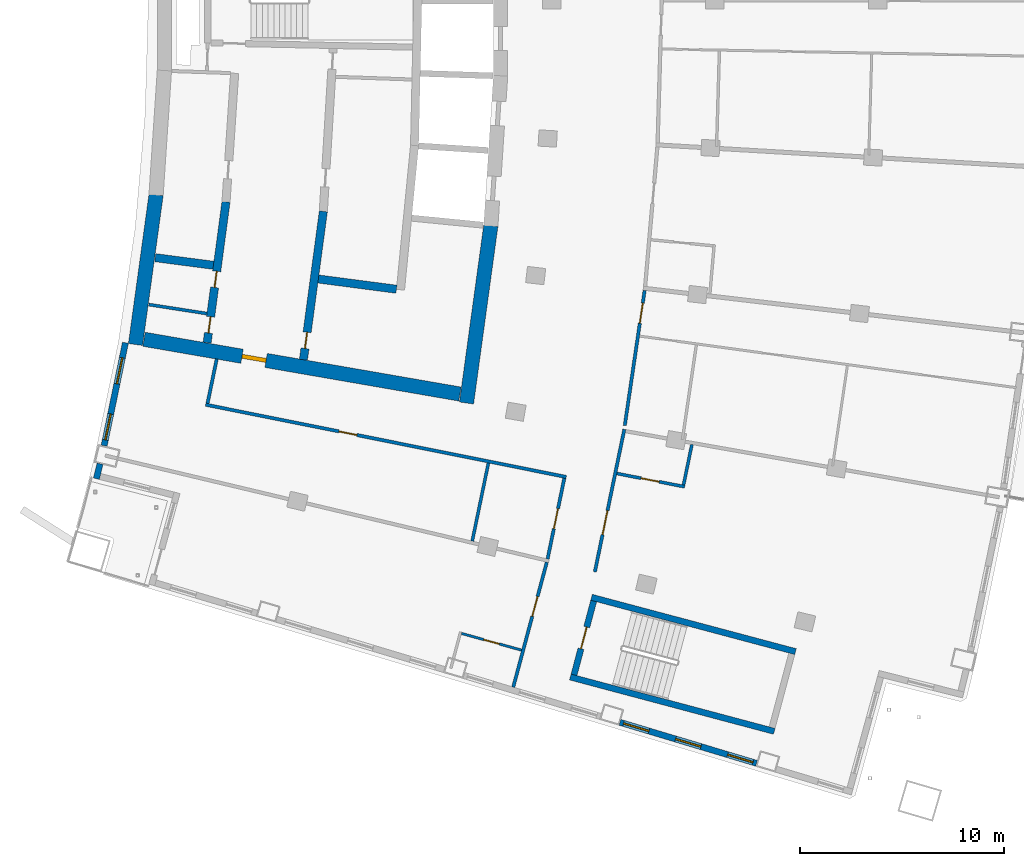
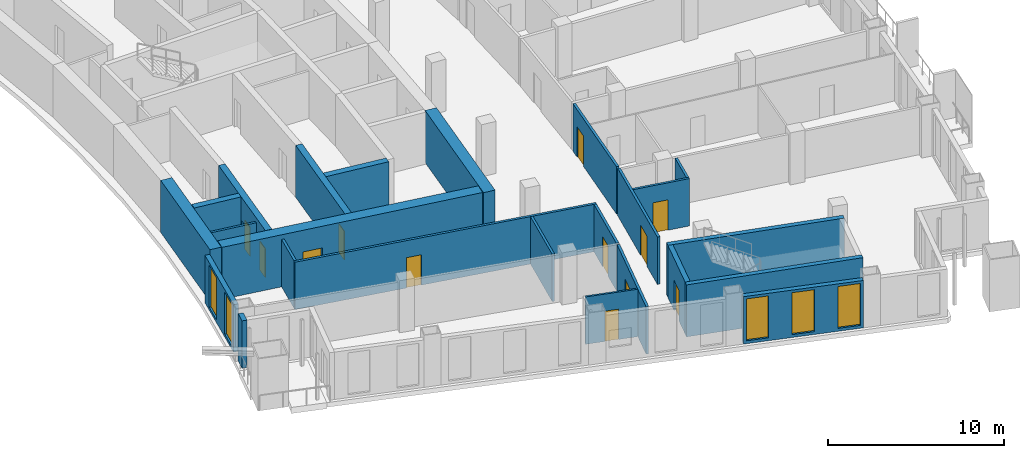
# One storey, part 10 of 20: 24 walls, 12 doors, 5 windows, 17 openings.
"""IFC4 building model written with IfcOpenShell, lengths in metres."""

from ifc_helpers import new_model, si_unit, direction, frame, frame_2d, origin, place, context, subcontext, project, spatial, rectangle, extrude, material, layer, layer_set, type_object, element, fill, save


model = new_model("IFC4")

# Units and contexts
model_context = context("Model", 3, precision=1e-05, world=origin(), true_north=direction((0.0, 1.0)))
body_context = subcontext(model_context, "Body", "Model", "MODEL_VIEW")
ifc_project = project(units=[si_unit("LENGTHUNIT", "METRE"), si_unit("AREAUNIT", "SQUARE_METRE"), si_unit("VOLUMEUNIT", "CUBIC_METRE"), si_unit("PLANEANGLEUNIT", "RADIAN"), si_unit("MASSUNIT", "GRAM", prefix="KILO")], contexts=[model_context])

# Site, building, storey
site_placement = place(None, origin())
site = spatial("IfcSite", under=ifc_project, at=site_placement, CompositionType="ELEMENT")
building_placement = place(site_placement, origin())
building = spatial("IfcBuilding", under=site, at=building_placement, Name="Alderwake Tower", CompositionType="ELEMENT")
storey_placement = place(building_placement, frame((0.0, 0.0, 153.199951171875)))
storey = spatial("IfcBuildingStorey", under=building, at=storey_placement, Name="L37", CompositionType="ELEMENT", Elevation=153.199951171875)

# Walls
ifc_material_1 = material(Name="Gypsum shaft wall system, rated")
ifc_layer_1 = layer(ifc_material_1, 0.14990234375)
ifc_layer_set_1 = layer_set([ifc_layer_1], Name="Core room partition 150")
wall_type_1 = type_object("IfcWallType", Name="Core room partition 150", PredefinedType="PARTITIONING", material=ifc_layer_set_1)
wall_1_placement = place(storey_placement, frame((16.024169921875, 46.097900390625, 0.0), z_axis=(0.0, 0.0, 1.0), x_axis=(0.988178321224, -0.153308856442, 0.0)))
element("IfcWall", 1, at=wall_1_placement, inside=storey, type_object=wall_type_1, Name="CW/L37/PR-161_+0", PredefinedType="PARTITIONING", context=body_context, shape_type="SweptSolid", body=[
    extrude(rectangle(XDim=2.88720703125, YDim=0.14990234375, at=frame_2d((1.443603515625, 0.0))), origin(), (0.0, 0.0, 1.0), 3.280029296875),
])
ifc_material_2 = material(Name="Concrete C70/85", Category="concrete")
ifc_layer_2 = layer(ifc_material_2, 0.699951171875)
ifc_layer_set_2 = layer_set([ifc_layer_2], Name="Core wall outer 700 C70-85")
wall_type_2 = type_object("IfcWallType", Name="Core wall outer 700 C70-85", PredefinedType="SHEAR", material=ifc_layer_set_2)
wall_2_placement = place(storey_placement, frame((15.370849609375, 44.1376953125, 0.0), z_axis=(0.0, 0.0, 1.0), x_axis=(0.136315619812, 0.99066545907, 0.0)))
element("IfcWall", 2, at=wall_2_placement, inside=storey, type_object=wall_type_2, Name="Core wall CW.042", PredefinedType="SHEAR", context=body_context, shape_type="SweptSolid", body=[
    extrude(rectangle(XDim=7.420166015625, YDim=0.699951171875, at=frame_2d((3.7099609375, 0.0))), origin(), (0.0, 0.0, 1.0), 3.60009765625),
])
wall_3_placement = place(storey_placement, frame((31.618896484375, 41.264892578125, 0.0), z_axis=(0.0, 0.0, 1.0), x_axis=(0.135835706655, 0.99073137671, 0.0)))
element("IfcWall", 3, at=wall_3_placement, inside=storey, type_object=wall_type_2, Name="Core wall CW.012", PredefinedType="SHEAR", context=body_context, shape_type="SweptSolid", body=[
    extrude(rectangle(XDim=8.790771484375, YDim=0.699951171875, at=frame_2d((4.3955078125, 0.0))), origin(), (0.0, 0.0, 1.0), 3.60009765625),
])

# Wall, opening, door
wall_4_placement = place(storey_placement, frame((31.295654296875, 41.705810546875, 0.0), z_axis=(0.0, 0.0, 1.0), x_axis=(-0.985302589944, 0.170818050129, 0.0)))
wall_4 = element("IfcWall", 4, at=wall_4_placement, inside=storey, type_object=wall_type_2, Name="Core wall CW.072", PredefinedType="SHEAR", context=body_context, shape_type="SweptSolid", body=[
    extrude(rectangle(XDim=15.7373046875, YDim=0.699951171875, at=frame_2d((7.86865234375, 0.0))), origin(), (0.0, 0.0, 1.0), 3.60009765625),
])
opening_1_placement = place(wall_4_placement, frame((9.65576171875, 0.0, 0.0)))
opening_1 = element("IfcOpeningElement", 5, at=opening_1_placement, cuts=wall_4, Name="Opening C003", PredefinedType="OPENING", context=body_context, shape_type="SweptSolid", body=[
    extrude(rectangle(XDim=1.199951171875, YDim=2.10009765625, at=frame_2d((0.60009765625, 1.050048828125))), frame((0.0, 0.35986328125, 0.0), z_axis=(0.0, -1.0, 0.0), x_axis=(1.0, 0.0, 0.0)), (0.0, 0.0, 1.0), 0.719970703125),
])
ifc_material_3 = material(Name="Steel-framed fire door leaf", Category="steel")
door_type_1 = type_object("IfcDoorType", Name="Core lobby exit door 1200 fire-rated", OperationType="SINGLE_SWING_LEFT", PredefinedType="DOOR", material=ifc_material_3)
door_1_placement = place(opening_1_placement, origin())
door_1 = element("IfcDoor", 6, at=door_1_placement, inside=storey, type_object=door_type_1, Name="Lobby door", OperationType="SINGLE_SWING_LEFT", OverallHeight=2.10009765625, OverallWidth=1.199951171875, PredefinedType="DOOR", context=body_context, shape_type="SweptSolid", body=[
    extrude(rectangle(XDim=1.199951171875, YDim=2.10009765625, at=frame_2d((0.60009765625, 1.050048828125))), frame((0.0, 0.10009765625, 0.0), z_axis=(0.0, -1.0, 0.0), x_axis=(1.0, 0.0, 0.0)), (0.0, 0.0, 1.0), 0.199951171875),
])
fill(opening_1, door_1)

# Wall, openings, doors
ifc_material_4 = material(Name="Concrete C70/85", Category="concrete")
ifc_layer_3 = layer(ifc_material_4, 0.39990234375)
ifc_layer_set_3 = layer_set([ifc_layer_3], Name="Core wall spine 400 C70-85")
wall_type_3 = type_object("IfcWallType", Name="Core wall spine 400 C70-85", PredefinedType="SHEAR", material=ifc_layer_set_3)
wall_5_placement = place(storey_placement, frame((19.814697265625, 51.143798828125, 0.0), z_axis=(0.0, 0.0, 1.0), x_axis=(-0.132864871698, -0.991134161387, 0.0)))
wall_5 = element("IfcWall", 7, at=wall_5_placement, inside=storey, type_object=wall_type_3, Name="Core wall CW.033", PredefinedType="SHEAR", context=body_context, shape_type="SweptSolid", body=[
    extrude(rectangle(XDim=6.978759765625, YDim=0.39990234375, at=frame_2d((3.4892578125, 0.0))), origin(), (0.0, 0.0, 1.0), 3.60009765625),
])
opening_2_placement = place(wall_5_placement, frame((5.69677734375, 0.0, 0.0)))
opening_2 = element("IfcOpeningElement", 8, at=opening_2_placement, cuts=wall_5, Name="Opening C009", PredefinedType="OPENING", context=body_context, shape_type="SweptSolid", body=[
    extrude(rectangle(XDim=0.800048828125, YDim=2.0, at=frame_2d((0.39990234375, 1.0))), frame((0.0, 0.2099609375, 0.0), z_axis=(0.0, -1.0, 0.0), x_axis=(1.0, 0.0, 0.0)), (0.0, 0.0, 1.0), 0.419921875),
])
opening_3_placement = place(wall_5_placement, frame((3.443115234375, 0.0, 0.0)))
opening_3 = element("IfcOpeningElement", 9, at=opening_3_placement, cuts=wall_5, Name="Opening C010", PredefinedType="OPENING", context=body_context, shape_type="SweptSolid", body=[
    extrude(rectangle(XDim=0.800048828125, YDim=2.0, at=frame_2d((0.39990234375, 1.0))), frame((0.0, 0.2099609375, 0.0), z_axis=(0.0, -1.0, 0.0), x_axis=(1.0, 0.0, 0.0)), (0.0, 0.0, 1.0), 0.419921875),
])
ifc_material_5 = material(Name="Painted steel leaf, rated", Category="steel")
door_type_2 = type_object("IfcDoorType", Name="Riser access door 800", OperationType="SINGLE_SWING_LEFT", PredefinedType="DOOR", material=ifc_material_5)
door_2_placement = place(opening_2_placement, origin())
door_2 = element("IfcDoor", 10, at=door_2_placement, inside=storey, type_object=door_type_2, Name="Riser access door", OperationType="SINGLE_SWING_LEFT", OverallHeight=2.0, OverallWidth=0.800048828125, PredefinedType="DOOR", context=body_context, shape_type="SweptSolid", body=[
    extrude(rectangle(XDim=0.800048828125, YDim=2.0, at=frame_2d((0.39990234375, 1.0))), frame((0.0, 0.02490234375, 0.0), z_axis=(0.0, -1.0, 0.0), x_axis=(1.0, 0.0, 0.0)), (0.0, 0.0, 1.0), 0.050048828125),
])
fill(opening_2, door_2)
door_3_placement = place(opening_3_placement, origin())
door_3 = element("IfcDoor", 11, at=door_3_placement, inside=storey, type_object=door_type_2, Name="Riser access door", OperationType="SINGLE_SWING_RIGHT", OverallHeight=2.0, OverallWidth=0.800048828125, PredefinedType="DOOR", context=body_context, shape_type="SweptSolid", body=[
    extrude(rectangle(XDim=0.800048828125, YDim=2.0, at=frame_2d((0.39990234375, 1.0))), frame((0.0, 0.02490234375, 0.0), z_axis=(0.0, -1.0, 0.0), x_axis=(1.0, 0.0, 0.0)), (0.0, 0.0, 1.0), 0.050048828125),
])
fill(opening_3, door_3)

# Wall, opening, door
wall_6_placement = place(storey_placement, frame((23.6142578125, 43.390869140625, 0.0), z_axis=(0.0, 0.0, 1.0), x_axis=(0.133023466616, 0.991112888287, 0.0)))
wall_6 = element("IfcWall", 12, at=wall_6_placement, inside=storey, type_object=wall_type_3, Name="Core wall CW.047", PredefinedType="SHEAR", context=body_context, shape_type="SweptSolid", body=[
    extrude(rectangle(XDim=7.3466796875, YDim=0.39990234375, at=frame_2d((3.67333984375, 0.0))), origin(), (0.0, 0.0, 1.0), 3.60009765625),
])
opening_4_placement = place(wall_6_placement, frame((0.557861328125, 0.0, 0.0)))
opening_4 = element("IfcOpeningElement", 13, at=opening_4_placement, cuts=wall_6, Name="Opening C013", PredefinedType="OPENING", context=body_context, shape_type="SweptSolid", body=[
    extrude(rectangle(XDim=0.800048828125, YDim=2.0, at=frame_2d((0.39990234375, 1.0))), frame((0.0, 0.2099609375, 0.0), z_axis=(0.0, -1.0, 0.0), x_axis=(1.0, 0.0, 0.0)), (0.0, 0.0, 1.0), 0.419921875),
])
door_4_placement = place(opening_4_placement, origin())
door_4 = element("IfcDoor", 14, at=door_4_placement, inside=storey, type_object=door_type_2, Name="Riser access door", OperationType="SINGLE_SWING_LEFT", OverallHeight=2.0, OverallWidth=0.800048828125, PredefinedType="DOOR", context=body_context, shape_type="SweptSolid", body=[
    extrude(rectangle(XDim=0.800048828125, YDim=2.0, at=frame_2d((0.39990234375, 1.0))), frame((0.0, 0.02490234375, 0.0), z_axis=(0.0, -1.0, 0.0), x_axis=(1.0, 0.0, 0.0)), (0.0, 0.0, 1.0), 0.050048828125),
])
fill(opening_4, door_4)

# Walls
wall_7_placement = place(storey_placement, frame((16.3408203125, 48.3994140625, 0.0), z_axis=(0.0, 0.0, 1.0), x_axis=(0.991544987266, -0.129763393253, 0.0)))
element("IfcWall", 15, at=wall_7_placement, inside=storey, type_object=wall_type_3, Name="Core wall CW.067", PredefinedType="SHEAR", context=body_context, shape_type="SweptSolid", body=[
    extrude(rectangle(XDim=2.878662109375, YDim=0.39990234375, at=frame_2d((1.439453125, 0.0))), origin(), (0.0, 0.0, 1.0), 3.60009765625),
])
wall_8_placement = place(storey_placement, frame((24.347900390625, 47.35205078125, 0.0), z_axis=(0.0, 0.0, 1.0), x_axis=(0.991555950624, -0.129679592778, 0.0)))
element("IfcWall", 16, at=wall_8_placement, inside=storey, type_object=wall_type_3, Name="Core wall CW.069", PredefinedType="SHEAR", context=body_context, shape_type="SweptSolid", body=[
    extrude(rectangle(XDim=3.86328125, YDim=0.39990234375, at=frame_2d((1.931640625, 0.0))), origin(), (0.0, 0.0, 1.0), 3.60009765625),
])
ifc_material_6 = material(Name="Concrete C70/85", Category="concrete")
ifc_layer_4 = layer(ifc_material_6, 0.300048828125)
ifc_layer_set_4 = layer_set([ifc_layer_4], Name="Core wall stair enclosure 300 C70-85")
wall_type_4 = type_object("IfcWallType", Name="Core wall stair enclosure 300 C70-85", PredefinedType="SHEAR", material=ifc_layer_set_4)
for number, where, z_axis, x_axis, name in (
    (17, (37.75390625, 31.731201171875, 0.0), (0.0, 0.0, 1.0), (0.966309214305, -0.257383958996, 0.0), "Core wall CW.086"),
    (18, (36.71142578125, 27.817626953125, 0.0), (0.0, 0.0, 1.0), (0.966309214305, -0.257383958996, 0.0), "Core wall CW.088"),
):
    element("IfcWall", number, at=place(storey_placement, frame(where, z_axis=z_axis, x_axis=x_axis)), inside=storey, type_object=wall_type_4, Name=name, PredefinedType="SHEAR", context=body_context, shape_type="SweptSolid", body=[
        extrude(rectangle(XDim=10.360107421875, YDim=0.300048828125, at=frame_2d((5.18017578125, 0.0))), origin(), (0.0, 0.0, 1.0), 3.60009765625),
    ])

# Wall, opening, door
wall_9_placement = place(storey_placement, frame((36.89501953125, 27.923828125, 0.0), z_axis=(0.0, 0.0, 1.0), x_axis=(0.257350630826, 0.966318090907, 0.0)))
wall_9 = element("IfcWall", 19, at=wall_9_placement, inside=storey, type_object=wall_type_4, Name="Core wall CW.087", PredefinedType="SHEAR", context=body_context, shape_type="SweptSolid", body=[
    extrude(rectangle(XDim=3.75, YDim=0.300048828125, at=frame_2d((1.875, 0.0))), origin(), (0.0, 0.0, 1.0), 3.60009765625),
])
opening_5_placement = place(wall_9_placement, frame((1.324951171875, 0.0, 0.0)))
opening_5 = element("IfcOpeningElement", 20, at=opening_5_placement, cuts=wall_9, Name="Opening C065", PredefinedType="OPENING", context=body_context, shape_type="SweptSolid", body=[
    extrude(rectangle(XDim=1.10009765625, YDim=2.10009765625, at=frame_2d((0.550048828125, 1.050048828125))), frame((0.0, 0.159912109375, 0.0), z_axis=(0.0, -1.0, 0.0), x_axis=(1.0, 0.0, 0.0)), (0.0, 0.0, 1.0), 0.320068359375),
])
ifc_material_7 = material(Name="Steel-framed fire door leaf", Category="steel")
door_type_3 = type_object("IfcDoorType", Name="Core stair door 1100 fire-rated", OperationType="SINGLE_SWING_LEFT", PredefinedType="DOOR", material=ifc_material_7)
door_5_placement = place(opening_5_placement, origin())
door_5 = element("IfcDoor", 21, at=door_5_placement, inside=storey, type_object=door_type_3, Name="Stair door", OperationType="SINGLE_SWING_LEFT", OverallHeight=2.10009765625, OverallWidth=1.10009765625, PredefinedType="DOOR", context=body_context, shape_type="SweptSolid", body=[
    extrude(rectangle(XDim=1.10009765625, YDim=2.10009765625, at=frame_2d((0.550048828125, 1.050048828125))), frame((0.0, 0.02490234375, 0.0), z_axis=(0.0, -1.0, 0.0), x_axis=(1.0, 0.0, 0.0)), (0.0, 0.0, 1.0), 0.050048828125),
])
fill(opening_5, door_5)

ifc_material_8 = material(Name="Gypsum board on metal studs, rated")
ifc_layer_5 = layer(ifc_material_8, 0.159912109375)
ifc_layer_set_5 = layer_set([ifc_layer_5], Name="Corridor wall 160")
wall_type_5 = type_object("IfcWallType", Name="Corridor wall 160", PredefinedType="PARTITIONING", material=ifc_layer_set_5)
wall_10_placement = place(storey_placement, frame((36.513427734375, 37.63427734375, 0.0), z_axis=(0.0, 0.0, 1.0), x_axis=(-0.980470254867, 0.1966674333, 0.0)))
wall_10 = element("IfcWall", 22, at=wall_10_placement, inside=storey, type_object=wall_type_5, Name="WL/L37/W12", PredefinedType="PARTITIONING", context=body_context, shape_type="SweptSolid", body=[
    extrude(rectangle(XDim=18.053466796875, YDim=0.159912109375, at=frame_2d((9.02685546875, 0.0))), origin(), (0.0, 0.0, 1.0), 3.280029296875),
])
opening_6_placement = place(wall_10_placement, frame((10.476806640625, 0.0, 0.0)))
opening_6 = element("IfcOpeningElement", 23, at=opening_6_placement, cuts=wall_10, Name="Opening R10-SBS1", PredefinedType="OPENING", context=body_context, shape_type="SweptSolid", body=[
    extrude(rectangle(XDim=0.89990234375, YDim=2.10009765625, at=frame_2d((0.449951171875, 1.050048828125))), frame((0.0, 0.08984375, 0.0), z_axis=(0.0, -1.0, 0.0), x_axis=(1.0, 0.0, 0.0)), (0.0, 0.0, 1.0), 0.179931640625),
])
ifc_material_9 = material(Name="Painted timber leaf", Category="wood")
door_type_4 = type_object("IfcDoorType", Name="Room door 900", OperationType="SINGLE_SWING_LEFT", PredefinedType="DOOR", material=ifc_material_9)
door_6_placement = place(opening_6_placement, origin())
door_6 = element("IfcDoor", 24, at=door_6_placement, inside=storey, type_object=door_type_4, Name="DR/L37/SBS1", OperationType="SINGLE_SWING_LEFT", OverallHeight=2.10009765625, OverallWidth=0.89990234375, PredefinedType="DOOR", context=body_context, shape_type="SweptSolid", body=[
    extrude(rectangle(XDim=0.89990234375, YDim=2.10009765625, at=frame_2d((0.449951171875, 1.050048828125))), frame((0.0, 0.02490234375, 0.0), z_axis=(0.0, -1.0, 0.0), x_axis=(1.0, 0.0, 0.0)), (0.0, 0.0, 1.0), 0.050048828125),
])
fill(opening_6, door_6)

# Wall
wall_11_placement = place(storey_placement, frame((19.35888671875, 43.430908203125, 0.0), z_axis=(0.0, 0.0, 1.0), x_axis=(-0.202554916658, -0.979270905183, 0.0)))
element("IfcWall", 25, at=wall_11_placement, inside=storey, type_object=wall_type_5, Name="WL/L37/W13", PredefinedType="PARTITIONING", context=body_context, shape_type="SweptSolid", body=[
    extrude(rectangle(XDim=2.229736328125, YDim=0.159912109375, at=frame_2d((1.11474609375, 0.0))), origin(), (0.0, 0.0, 1.0), 3.280029296875),
])

# Wall, opening, door
wall_12_placement = place(storey_placement, frame((33.912109375, 27.321044921875, 0.0), z_axis=(0.0, 0.0, 1.0), x_axis=(0.259370874835, 0.965777794986, 0.0)))
wall_12 = element("IfcWall", 26, at=wall_12_placement, inside=storey, type_object=wall_type_5, Name="WL/L37/W16", PredefinedType="PARTITIONING", context=body_context, shape_type="SweptSolid", body=[
    extrude(rectangle(XDim=6.349853515625, YDim=0.159912109375, at=frame_2d((3.1748046875, 0.0))), origin(), (0.0, 0.0, 1.0), 3.280029296875),
])
opening_7_placement = place(wall_12_placement, frame((3.603515625, 0.0, 0.0)))
opening_7 = element("IfcOpeningElement", 27, at=opening_7_placement, cuts=wall_12, Name="Opening R10-U08.1", PredefinedType="OPENING", context=body_context, shape_type="SweptSolid", body=[
    extrude(rectangle(XDim=1.0, YDim=2.10009765625, at=frame_2d((0.5, 1.050048828125))), frame((0.0, 0.08984375, 0.0), z_axis=(0.0, -1.0, 0.0), x_axis=(1.0, 0.0, 0.0)), (0.0, 0.0, 1.0), 0.179931640625),
])
ifc_material_10 = material(Name="Solid timber leaf in steel frame", Category="steel")
door_type_5 = type_object("IfcDoorType", Name="Flat entrance door 1000 fire-rated", OperationType="SINGLE_SWING_LEFT", PredefinedType="DOOR", material=ifc_material_10)
door_7_placement = place(opening_7_placement, origin())
door_7 = element("IfcDoor", 28, at=door_7_placement, inside=storey, type_object=door_type_5, Name="DR/L37/U08.1", OperationType="SINGLE_SWING_LEFT", OverallHeight=2.10009765625, OverallWidth=1.0, PredefinedType="DOOR", context=body_context, shape_type="SweptSolid", body=[
    extrude(rectangle(XDim=1.0, YDim=2.10009765625, at=frame_2d((0.5, 1.050048828125))), frame((0.0, 0.02490234375, 0.0), z_axis=(0.0, -1.0, 0.0), x_axis=(1.0, 0.0, 0.0)), (0.0, 0.0, 1.0), 0.050048828125),
])
fill(opening_7, door_7)

wall_13_placement = place(storey_placement, frame((35.59619140625, 33.609375, 0.0), z_axis=(0.0, 0.0, 1.0), x_axis=(0.203245920818, 0.979127721838, 0.0)))
wall_13 = element("IfcWall", 29, at=wall_13_placement, inside=storey, type_object=wall_type_5, Name="WL/L37/W19", PredefinedType="PARTITIONING", context=body_context, shape_type="SweptSolid", body=[
    extrude(rectangle(XDim=4.046875, YDim=0.159912109375, at=frame_2d((2.0234375, 0.0))), origin(), (0.0, 0.0, 1.0), 3.280029296875),
])
opening_8_placement = place(wall_13_placement, frame((1.5234375, 0.0, 0.0)))
opening_8 = element("IfcOpeningElement", 30, at=opening_8_placement, cuts=wall_13, Name="Opening R10-SBS2", PredefinedType="OPENING", context=body_context, shape_type="SweptSolid", body=[
    extrude(rectangle(XDim=1.0, YDim=2.10009765625, at=frame_2d((0.5, 1.050048828125))), frame((0.0, 0.08984375, 0.0), z_axis=(0.0, -1.0, 0.0), x_axis=(1.0, 0.0, 0.0)), (0.0, 0.0, 1.0), 0.179931640625),
])
ifc_material_11 = material(Name="Steel-framed fire door leaf", Category="steel")
door_type_6 = type_object("IfcDoorType", Name="Plant room door 1000 fire-rated", OperationType="SINGLE_SWING_LEFT", PredefinedType="DOOR", material=ifc_material_11)
door_8_placement = place(opening_8_placement, origin())
door_8 = element("IfcDoor", 31, at=door_8_placement, inside=storey, type_object=door_type_6, Name="DR/L37/SBS2", OperationType="SINGLE_SWING_LEFT", OverallHeight=2.10009765625, OverallWidth=1.0, PredefinedType="DOOR", context=body_context, shape_type="SweptSolid", body=[
    extrude(rectangle(XDim=1.0, YDim=2.10009765625, at=frame_2d((0.5, 1.050048828125))), frame((0.0, 0.02490234375, 0.0), z_axis=(0.0, -1.0, 0.0), x_axis=(1.0, 0.0, 0.0)), (0.0, 0.0, 1.0), 0.050048828125),
])
fill(opening_8, door_8)

wall_14_placement = place(storey_placement, frame((39.3642578125, 39.975341796875, 0.0), z_axis=(0.0, 0.0, 1.0), x_axis=(-0.202490391407, -0.979284249535, 0.0)))
wall_14 = element("IfcWall", 32, at=wall_14_placement, inside=storey, type_object=wall_type_5, Name="WL/L37/W21", PredefinedType="PARTITIONING", context=body_context, shape_type="SweptSolid", body=[
    extrude(rectangle(XDim=7.147216796875, YDim=0.159912109375, at=frame_2d((3.57373046875, 0.0))), origin(), (0.0, 0.0, 1.0), 3.280029296875),
])
opening_9_placement = place(wall_14_placement, frame((4.073486328125, 0.0, 0.0)))
opening_9 = element("IfcOpeningElement", 33, at=opening_9_placement, cuts=wall_14, Name="Opening R10-AM1.1", PredefinedType="OPENING", context=body_context, shape_type="SweptSolid", body=[
    extrude(rectangle(XDim=1.199951171875, YDim=2.10009765625, at=frame_2d((0.60009765625, 1.050048828125))), frame((0.0, 0.08984375, 0.0), z_axis=(0.0, -1.0, 0.0), x_axis=(1.0, 0.0, 0.0)), (0.0, 0.0, 1.0), 0.179931640625),
])
ifc_material_12 = material(Name="Steel-framed fire door leaf", Category="steel")
door_type_7 = type_object("IfcDoorType", Name="Lobby door 1200 fire-rated", OperationType="SINGLE_SWING_LEFT", PredefinedType="DOOR", material=ifc_material_12)
door_9_placement = place(opening_9_placement, origin())
door_9 = element("IfcDoor", 34, at=door_9_placement, inside=storey, type_object=door_type_7, Name="DR/L37/AM1.1", OperationType="SINGLE_SWING_LEFT", OverallHeight=2.10009765625, OverallWidth=1.199951171875, PredefinedType="DOOR", context=body_context, shape_type="SweptSolid", body=[
    extrude(rectangle(XDim=1.199951171875, YDim=2.10009765625, at=frame_2d((0.60009765625, 1.050048828125))), frame((0.0, 0.02490234375, 0.0), z_axis=(0.0, -1.0, 0.0), x_axis=(1.0, 0.0, 0.0)), (0.0, 0.0, 1.0), 0.050048828125),
])
fill(opening_9, door_9)

wall_15_placement = place(storey_placement, frame((40.3623046875, 46.7939453125, 0.0), z_axis=(0.0, 0.0, 1.0), x_axis=(-0.145513909196, -0.989356205939, 0.0)))
wall_15 = element("IfcWall", 35, at=wall_15_placement, inside=storey, type_object=wall_type_5, Name="WL/L37/W22", PredefinedType="PARTITIONING", context=body_context, shape_type="SweptSolid", body=[
    extrude(rectangle(XDim=6.704345703125, YDim=0.159912109375, at=frame_2d((3.35205078125, 0.0))), origin(), (0.0, 0.0, 1.0), 3.280029296875),
])
opening_10_placement = place(wall_15_placement, frame((0.628662109375, 0.0, 0.0)))
opening_10 = element("IfcOpeningElement", 36, at=opening_10_placement, cuts=wall_15, Name="Opening R10-U03.2", PredefinedType="OPENING", context=body_context, shape_type="SweptSolid", body=[
    extrude(rectangle(XDim=1.0, YDim=2.10009765625, at=frame_2d((0.5, 1.050048828125))), frame((0.0, 0.08984375, 0.0), z_axis=(0.0, -1.0, 0.0), x_axis=(1.0, 0.0, 0.0)), (0.0, 0.0, 1.0), 0.179931640625),
])
door_10_placement = place(opening_10_placement, origin())
door_10 = element("IfcDoor", 37, at=door_10_placement, inside=storey, type_object=door_type_5, Name="DR/L37/U03.2", OperationType="SINGLE_SWING_LEFT", OverallHeight=2.10009765625, OverallWidth=1.0, PredefinedType="DOOR", context=body_context, shape_type="SweptSolid", body=[
    extrude(rectangle(XDim=1.0, YDim=2.10009765625, at=frame_2d((0.5, 1.050048828125))), frame((0.0, 0.02490234375, 0.0), z_axis=(0.0, -1.0, 0.0), x_axis=(1.0, 0.0, 0.0)), (0.0, 0.0, 1.0), 0.050048828125),
])
fill(opening_10, door_10)

# Wall
ifc_material_13 = material(Name="Precast concrete C50/60 spandrel panel", Category="concrete")
ifc_layer_6 = layer(ifc_material_13, 0.300048828125)
ifc_layer_set_6 = layer_set([ifc_layer_6], Name="External wall EW1 Precast concrete C50/60 spandrel")
wall_type_6 = type_object("IfcWallType", Name="External wall EW1 Precast concrete C50/60 spandrel", PredefinedType="SOLIDWALL", material=ifc_layer_set_6)
wall_16_placement = place(storey_placement, frame((13.63134765625, 38.28271484375, 0.0), z_axis=(0.0, 0.0, 1.0), x_axis=(-0.238336947214, -0.971182526404, 0.0)))
element("IfcWall", 38, at=wall_16_placement, inside=storey, type_object=wall_type_6, Name="External wall 1", PredefinedType="SOLIDWALL", context=body_context, shape_type="SweptSolid", body=[
    extrude(rectangle(XDim=0.7529296875, YDim=0.300048828125, at=frame_2d((0.37646484375, 0.0))), origin(), (0.0, 0.0, 1.0), 3.280029296875),
])

# Wall, openings, windows
wall_17_placement = place(storey_placement, frame((14.878173828125, 44.223388671875, 0.0), z_axis=(0.0, 0.0, 1.0), x_axis=(-0.202754243564, -0.979229654737, 0.0)))
wall_17 = element("IfcWall", 39, at=wall_17_placement, inside=storey, type_object=wall_type_6, Name="External wall 32", PredefinedType="SOLIDWALL", context=body_context, shape_type="SweptSolid", body=[
    extrude(rectangle(XDim=5.15966796875, YDim=0.300048828125, at=frame_2d((2.579833984375, 0.0))), origin(), (0.0, 0.0, 1.0), 3.280029296875),
])
opening_11_placement = place(wall_17_placement, frame((0.75634765625, 0.0, 0.199951171875)))
opening_11 = element("IfcOpeningElement", 40, at=opening_11_placement, cuts=wall_17, Name="Opening W1", PredefinedType="OPENING", context=body_context, shape_type="SweptSolid", body=[
    extrude(rectangle(XDim=1.300048828125, YDim=2.89990234375, at=frame_2d((0.64990234375, 1.449951171875))), frame((0.0, 0.159912109375, 0.0), z_axis=(0.0, -1.0, 0.0), x_axis=(1.0, 0.0, 0.0)), (0.0, 0.0, 1.0), 0.320068359375),
])
opening_12_placement = place(wall_17_placement, frame((3.569091796875, 0.0, 0.199951171875)))
opening_12 = element("IfcOpeningElement", 41, at=opening_12_placement, cuts=wall_17, Name="Opening W1", PredefinedType="OPENING", context=body_context, shape_type="SweptSolid", body=[
    extrude(rectangle(XDim=1.300048828125, YDim=2.89990234375, at=frame_2d((0.64990234375, 1.449951171875))), frame((0.0, 0.159912109375, 0.0), z_axis=(0.0, -1.0, 0.0), x_axis=(1.0, 0.0, 0.0)), (0.0, 0.0, 1.0), 0.320068359375),
])
ifc_material_14 = material(Name="Bronze tinted glass in aluminium frame", Category="aluminium")
window_type = type_object("IfcWindowType", Name="Window W1 tall fixed and vent", PartitioningType="DOUBLE_PANEL_VERTICAL", PredefinedType="WINDOW", material=ifc_material_14)
window_1_placement = place(opening_11_placement, origin())
window_1 = element("IfcWindow", 42, at=window_1_placement, inside=storey, type_object=window_type, Name="Window W1 tall fixed and vent", OverallHeight=2.89990234375, OverallWidth=1.300048828125, PartitioningType="DOUBLE_PANEL_VERTICAL", PredefinedType="WINDOW", context=body_context, shape_type="SweptSolid", body=[
    extrude(rectangle(XDim=1.300048828125, YDim=2.89990234375, at=frame_2d((0.64990234375, 1.449951171875))), frame((0.0, 0.030029296875, 0.0), z_axis=(0.0, -1.0, 0.0), x_axis=(1.0, 0.0, 0.0)), (0.0, 0.0, 1.0), 0.06005859375),
])
fill(opening_11, window_1)
window_2_placement = place(opening_12_placement, origin())
window_2 = element("IfcWindow", 43, at=window_2_placement, inside=storey, type_object=window_type, Name="Window W1 tall fixed and vent", OverallHeight=2.89990234375, OverallWidth=1.300048828125, PartitioningType="DOUBLE_PANEL_VERTICAL", PredefinedType="WINDOW", context=body_context, shape_type="SweptSolid", body=[
    extrude(rectangle(XDim=1.300048828125, YDim=2.89990234375, at=frame_2d((0.64990234375, 1.449951171875))), frame((0.0, 0.030029296875, 0.0), z_axis=(0.0, -1.0, 0.0), x_axis=(1.0, 0.0, 0.0)), (0.0, 0.0, 1.0), 0.06005859375),
])
fill(opening_12, window_2)

ifc_material_15 = material(Name="Bronze metal cladding on lightweight framing")
ifc_layer_7 = layer(ifc_material_15, 0.300048828125)
ifc_layer_set_7 = layer_set([ifc_layer_7], Name="External wall EW2 bronze metal cladding")
wall_type_7 = type_object("IfcWallType", Name="External wall EW2 bronze metal cladding", PredefinedType="SOLIDWALL", material=ifc_layer_set_7)
wall_18_placement = place(storey_placement, frame((39.151611328125, 25.5927734375, 0.0), z_axis=(0.0, 0.0, 1.0), x_axis=(0.957766716661, -0.287546372706, 0.0)))
wall_18 = element("IfcWall", 44, at=wall_18_placement, inside=storey, type_object=wall_type_7, Name="External wall 7", PredefinedType="SOLIDWALL", context=body_context, shape_type="SweptSolid", body=[
    extrude(rectangle(XDim=6.99609375, YDim=0.300048828125, at=frame_2d((3.498046875, 0.0))), origin(), (0.0, 0.0, 1.0), 3.280029296875),
])
opening_13_placement = place(wall_18_placement, frame((0.181396484375, 0.0, 0.199951171875)))
opening_13 = element("IfcOpeningElement", 45, at=opening_13_placement, cuts=wall_18, Name="Opening W1", PredefinedType="OPENING", context=body_context, shape_type="SweptSolid", body=[
    extrude(rectangle(XDim=1.300048828125, YDim=2.89990234375, at=frame_2d((0.64990234375, 1.449951171875))), frame((0.0, 0.159912109375, 0.0), z_axis=(0.0, -1.0, 0.0), x_axis=(1.0, 0.0, 0.0)), (0.0, 0.0, 1.0), 0.320068359375),
])
opening_14_placement = place(wall_18_placement, frame((2.84814453125, 0.0, 0.199951171875)))
opening_14 = element("IfcOpeningElement", 46, at=opening_14_placement, cuts=wall_18, Name="Opening W1", PredefinedType="OPENING", context=body_context, shape_type="SweptSolid", body=[
    extrude(rectangle(XDim=1.300048828125, YDim=2.89990234375, at=frame_2d((0.64990234375, 1.449951171875))), frame((0.0, 0.159912109375, 0.0), z_axis=(0.0, -1.0, 0.0), x_axis=(1.0, 0.0, 0.0)), (0.0, 0.0, 1.0), 0.320068359375),
])
opening_15_placement = place(wall_18_placement, frame((5.514892578125, 0.0, 0.199951171875)))
opening_15 = element("IfcOpeningElement", 47, at=opening_15_placement, cuts=wall_18, Name="Opening W1", PredefinedType="OPENING", context=body_context, shape_type="SweptSolid", body=[
    extrude(rectangle(XDim=1.300048828125, YDim=2.89990234375, at=frame_2d((0.64990234375, 1.449951171875))), frame((0.0, 0.159912109375, 0.0), z_axis=(0.0, -1.0, 0.0), x_axis=(1.0, 0.0, 0.0)), (0.0, 0.0, 1.0), 0.320068359375),
])
window_3_placement = place(opening_13_placement, origin())
window_3 = element("IfcWindow", 48, at=window_3_placement, inside=storey, type_object=window_type, Name="Window W1 tall fixed and vent", OverallHeight=2.89990234375, OverallWidth=1.300048828125, PartitioningType="DOUBLE_PANEL_VERTICAL", PredefinedType="WINDOW", context=body_context, shape_type="SweptSolid", body=[
    extrude(rectangle(XDim=1.300048828125, YDim=2.89990234375, at=frame_2d((0.64990234375, 1.449951171875))), frame((0.0, 0.030029296875, 0.0), z_axis=(0.0, -1.0, 0.0), x_axis=(1.0, 0.0, 0.0)), (0.0, 0.0, 1.0), 0.06005859375),
])
fill(opening_13, window_3)
window_4_placement = place(opening_14_placement, origin())
window_4 = element("IfcWindow", 49, at=window_4_placement, inside=storey, type_object=window_type, Name="Window W1 tall fixed and vent", OverallHeight=2.89990234375, OverallWidth=1.300048828125, PartitioningType="DOUBLE_PANEL_VERTICAL", PredefinedType="WINDOW", context=body_context, shape_type="SweptSolid", body=[
    extrude(rectangle(XDim=1.300048828125, YDim=2.89990234375, at=frame_2d((0.64990234375, 1.449951171875))), frame((0.0, 0.030029296875, 0.0), z_axis=(0.0, -1.0, 0.0), x_axis=(1.0, 0.0, 0.0)), (0.0, 0.0, 1.0), 0.06005859375),
])
fill(opening_14, window_4)
window_5_placement = place(opening_15_placement, origin())
window_5 = element("IfcWindow", 50, at=window_5_placement, inside=storey, type_object=window_type, Name="Window W1 tall fixed and vent", OverallHeight=2.89990234375, OverallWidth=1.300048828125, PartitioningType="DOUBLE_PANEL_VERTICAL", PredefinedType="WINDOW", context=body_context, shape_type="SweptSolid", body=[
    extrude(rectangle(XDim=1.300048828125, YDim=2.89990234375, at=frame_2d((0.64990234375, 1.449951171875))), frame((0.0, 0.030029296875, 0.0), z_axis=(0.0, -1.0, 0.0), x_axis=(1.0, 0.0, 0.0)), (0.0, 0.0, 1.0), 0.06005859375),
])
fill(opening_15, window_5)

# Wall
ifc_material_16 = material(Name="Gypsum shaft wall system, rated")
ifc_layer_8 = layer(ifc_material_16, 0.14990234375)
ifc_layer_set_8 = layer_set([ifc_layer_8], Name="Riser and shaft wall 150")
wall_type_8 = type_object("IfcWallType", Name="Riser and shaft wall 150", PredefinedType="PARTITIONING", material=ifc_layer_set_8)
wall_19_placement = place(storey_placement, frame((31.900146484375, 34.48828125, 0.0), z_axis=(0.0, 0.0, 1.0), x_axis=(0.20266545775, 0.979248034073, 0.0)))
element("IfcWall", 51, at=wall_19_placement, inside=storey, type_object=wall_type_8, Name="WL/L37/W07", PredefinedType="PARTITIONING", context=body_context, shape_type="SweptSolid", body=[
    extrude(rectangle(XDim=3.911376953125, YDim=0.14990234375, at=frame_2d((1.95556640625, 0.0))), origin(), (0.0, 0.0, 1.0), 3.280029296875),
])

# Wall, opening, door
wall_20_placement = place(storey_placement, frame((38.99755859375, 37.8056640625, 0.0), z_axis=(0.0, 0.0, 1.0), x_axis=(0.981480367208, -0.191562754169, 0.0)))
wall_20 = element("IfcWall", 52, at=wall_20_placement, inside=storey, type_object=wall_type_8, Name="WL/L37/W09", PredefinedType="PARTITIONING", context=body_context, shape_type="SweptSolid", body=[
    extrude(rectangle(XDim=3.393798828125, YDim=0.14990234375, at=frame_2d((1.69677734375, 0.0))), origin(), (0.0, 0.0, 1.0), 3.280029296875),
])
opening_16_placement = place(wall_20_placement, frame((1.209228515625, 0.0, 0.0)))
opening_16 = element("IfcOpeningElement", 53, at=opening_16_placement, cuts=wall_20, Name="Opening R10-AM1.2", PredefinedType="OPENING", context=body_context, shape_type="SweptSolid", body=[
    extrude(rectangle(XDim=0.89990234375, YDim=2.10009765625, at=frame_2d((0.449951171875, 1.050048828125))), frame((0.0, 0.0849609375, 0.0), z_axis=(0.0, -1.0, 0.0), x_axis=(1.0, 0.0, 0.0)), (0.0, 0.0, 1.0), 0.169921875),
])
door_11_placement = place(opening_16_placement, origin())
door_11 = element("IfcDoor", 54, at=door_11_placement, inside=storey, type_object=door_type_4, Name="DR/L37/AM1.2", OperationType="SINGLE_SWING_LEFT", OverallHeight=2.10009765625, OverallWidth=0.89990234375, PredefinedType="DOOR", context=body_context, shape_type="SweptSolid", body=[
    extrude(rectangle(XDim=0.89990234375, YDim=2.10009765625, at=frame_2d((0.449951171875, 1.050048828125))), frame((0.0, 0.02490234375, 0.0), z_axis=(0.0, -1.0, 0.0), x_axis=(1.0, 0.0, 0.0)), (0.0, 0.0, 1.0), 0.050048828125),
])
fill(opening_16, door_11)

# Wall
wall_21_placement = place(storey_placement, frame((42.270263671875, 37.243408203125, 0.0), z_axis=(0.0, 0.0, 1.0), x_axis=(0.202091528728, 0.97936663922, 0.0)))
element("IfcWall", 55, at=wall_21_placement, inside=storey, type_object=wall_type_8, Name="WL/L37/W10", PredefinedType="PARTITIONING", context=body_context, shape_type="SweptSolid", body=[
    extrude(rectangle(XDim=2.02587890625, YDim=0.14990234375, at=frame_2d((1.012939453125, 0.0))), origin(), (0.0, 0.0, 1.0), 3.280029296875),
])

# Wall, opening, door
ifc_material_17 = material(Name="Moisture resistant gypsum board on metal studs")
ifc_layer_9 = layer(ifc_material_17, 0.1201171875)
ifc_layer_set_9 = layer_set([ifc_layer_9], Name="Wet room partition 120")
wall_type_9 = type_object("IfcWallType", Name="Wet room partition 120", PredefinedType="PARTITIONING", material=ifc_layer_set_9)
wall_22_placement = place(storey_placement, frame((34.31787109375, 29.136474609375, 0.0), z_axis=(0.0, 0.0, 1.0), x_axis=(-0.963351881246, 0.268240848677, 0.0)))
wall_22 = element("IfcWall", 56, at=wall_22_placement, inside=storey, type_object=wall_type_9, Name="WL/L37/W33", PredefinedType="PARTITIONING", context=body_context, shape_type="SweptSolid", body=[
    extrude(rectangle(XDim=3.05810546875, YDim=0.1201171875, at=frame_2d((1.529052734375, 0.0))), origin(), (0.0, 0.0, 1.0), 3.280029296875),
])
opening_17_placement = place(wall_22_placement, frame((1.129150390625, 0.0, 0.0)))
opening_17 = element("IfcOpeningElement", 57, at=opening_17_placement, cuts=wall_22, Name="Opening R10-U08.2", PredefinedType="OPENING", context=body_context, shape_type="SweptSolid", body=[
    extrude(rectangle(XDim=0.800048828125, YDim=2.10009765625, at=frame_2d((0.39990234375, 1.050048828125))), frame((0.0, 0.070068359375, 0.0), z_axis=(0.0, -1.0, 0.0), x_axis=(1.0, 0.0, 0.0)), (0.0, 0.0, 1.0), 0.14013671875),
])
ifc_material_18 = material(Name="Painted timber leaf", Category="wood")
door_type_8 = type_object("IfcDoorType", Name="Bathroom door 800", OperationType="SINGLE_SWING_LEFT", PredefinedType="DOOR", material=ifc_material_18)
door_12_placement = place(opening_17_placement, origin())
door_12 = element("IfcDoor", 58, at=door_12_placement, inside=storey, type_object=door_type_8, Name="DR/L37/U08.2", OperationType="SINGLE_SWING_LEFT", OverallHeight=2.10009765625, OverallWidth=0.800048828125, PredefinedType="DOOR", context=body_context, shape_type="SweptSolid", body=[
    extrude(rectangle(XDim=0.800048828125, YDim=2.10009765625, at=frame_2d((0.39990234375, 1.050048828125))), frame((0.0, 0.02490234375, 0.0), z_axis=(0.0, -1.0, 0.0), x_axis=(1.0, 0.0, 0.0)), (0.0, 0.0, 1.0), 0.050048828125),
])
fill(opening_17, door_12)

save(model, "model.ifc")
